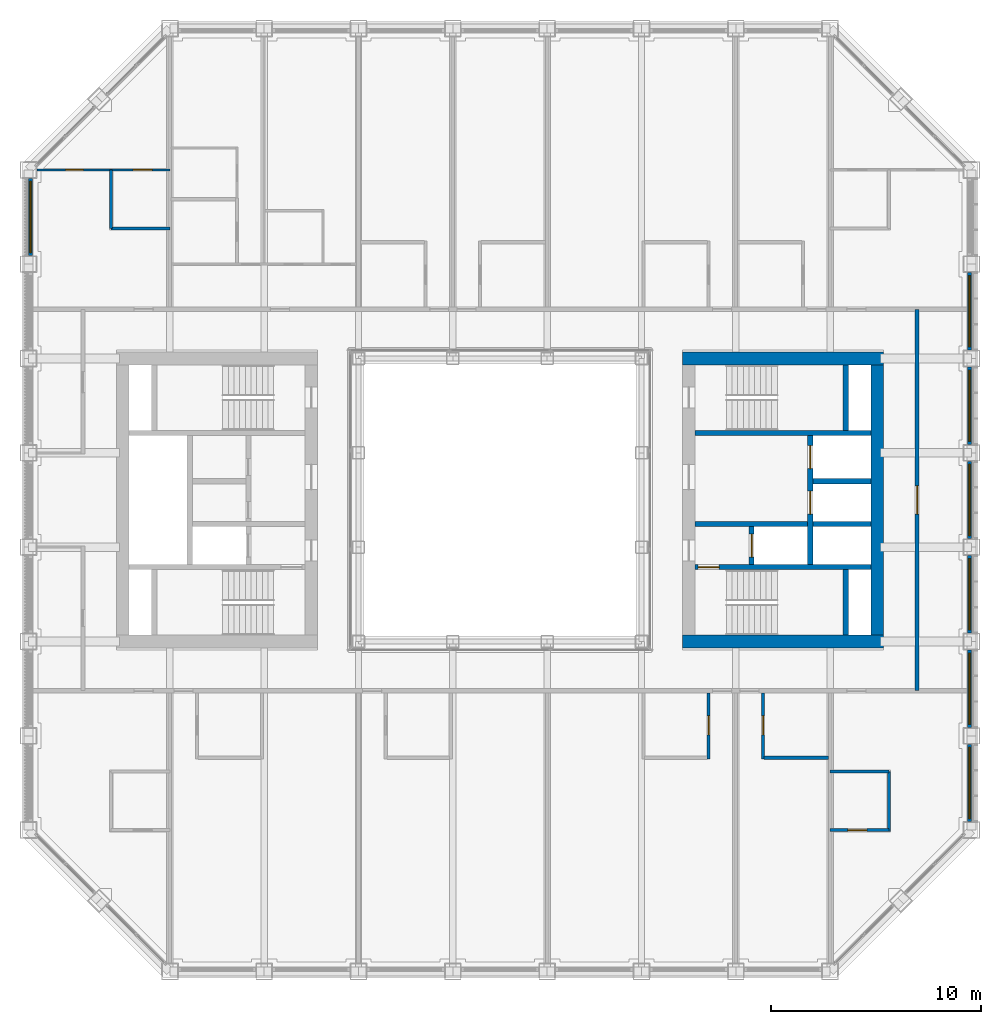
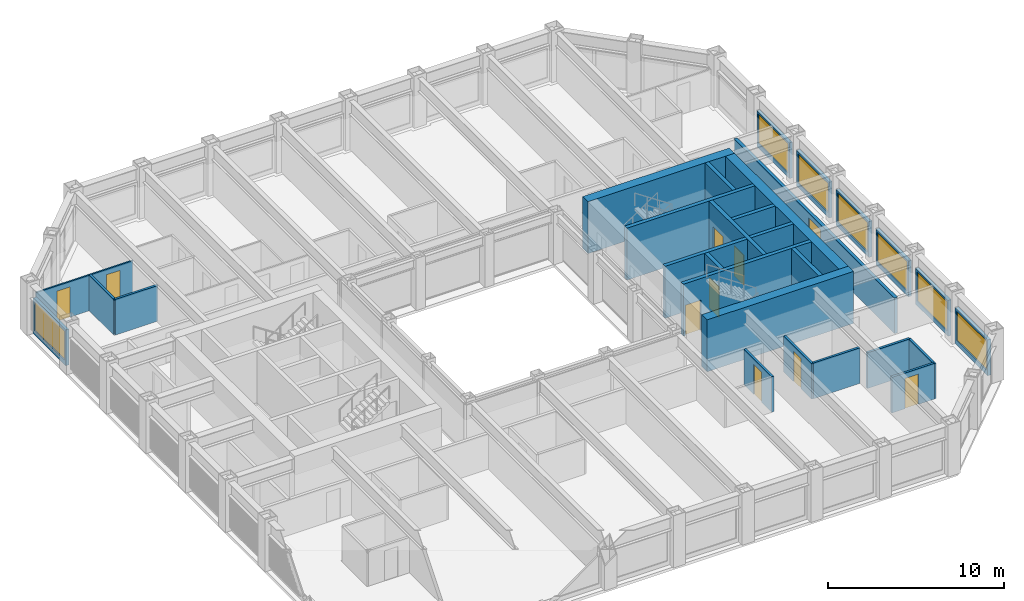
# One storey, part 12 of 17: 29 walls, 10 doors, 7 windows, 17 openings.
"""IFC4 building model written with IfcOpenShell, lengths in metres."""

from ifc_helpers import new_model, si_unit, direction, frame, frame_2d, origin, place, context, subcontext, project, spatial, rectangle, extrude, material, layer, layer_set, type_object, element, fill, save


model = new_model("IFC4")

# Units and contexts
model_context = context("Model", 3, precision=1e-05, world=origin(), true_north=direction((0.0, 1.0)))
body_context = subcontext(model_context, "Body", "Model", "MODEL_VIEW")
ifc_project = project(units=[si_unit("LENGTHUNIT", "METRE"), si_unit("AREAUNIT", "SQUARE_METRE"), si_unit("VOLUMEUNIT", "CUBIC_METRE"), si_unit("PLANEANGLEUNIT", "RADIAN"), si_unit("MASSUNIT", "GRAM", prefix="KILO")], contexts=[model_context])

# Site, building, storey
site_placement = place(None, origin())
site = spatial("IfcSite", under=ifc_project, at=site_placement, CompositionType="ELEMENT")
building_placement = place(site_placement, origin())
building = spatial("IfcBuilding", under=site, at=building_placement, Name="Msasa Ring Tower", CompositionType="ELEMENT")
storey_placement = place(building_placement, frame((0.0, 0.0, 179.60009765625)))
storey = spatial("IfcBuildingStorey", under=building, at=storey_placement, Name="L47", CompositionType="ELEMENT", Elevation=179.60009765625)

# Walls
ifc_material_1 = material(Name="Concrete C60/75", Category="concrete")
ifc_layer_1 = layer(ifc_material_1, 0.60009765625)
ifc_layer_set_1 = layer_set([ifc_layer_1], Name="CW2 CORE WALL 600")
wall_type_1 = type_object("IfcWallType", Name="CW2 CORE WALL 600", PredefinedType="SHEAR", material=ifc_layer_set_1)
for number, where, z_axis, x_axis, name in (
    (1, (8.699951171875, -6.75, 0.0), (0.0, 0.0, 1.0), (1.0, 0.0, 0.0), "E core wall S L47"),
    (2, (8.699951171875, 6.75, 0.0), (0.0, 0.0, 1.0), (1.0, 0.0, 0.0), "E core wall N L47"),
):
    element("IfcWall", number, at=place(storey_placement, frame(where, z_axis=z_axis, x_axis=x_axis)), inside=storey, type_object=wall_type_1, Name=name, PredefinedType="SHEAR", context=body_context, shape_type="SweptSolid", body=[
        extrude(rectangle(XDim=9.60009765625, YDim=0.60009765625, at=frame_2d((4.800048828125, 0.0))), origin(), (0.0, 0.0, 1.0), 3.599853515625),
    ])
wall_1_placement = place(storey_placement, frame((18.0, -6.449951171875, 0.0), z_axis=(0.0, 0.0, 1.0), x_axis=(0.0, 1.0, 0.0)))
element("IfcWall", 3, at=wall_1_placement, inside=storey, type_object=wall_type_1, Name="E core wall E L47", PredefinedType="SHEAR", context=body_context, shape_type="SweptSolid", body=[
    extrude(rectangle(XDim=12.89990234375, YDim=0.60009765625, at=frame_2d((6.449951171875, 0.0))), origin(), (0.0, 0.0, 1.0), 3.599853515625),
])

# Wall, opening, door
ifc_material_2 = material(Name="Concrete C60/75", Category="concrete")
ifc_layer_2 = layer(ifc_material_2, 0.25)
ifc_layer_set_2 = layer_set([ifc_layer_2], Name="CW4 CORE INNER WALL 250")
wall_type_2 = type_object("IfcWallType", Name="CW4 CORE INNER WALL 250", PredefinedType="SHEAR", material=ifc_layer_set_2)
wall_2_placement = place(storey_placement, frame((9.300048828125, -3.199951171875, 0.0), z_axis=(0.0, 0.0, 1.0), x_axis=(1.0, 0.0, 0.0)))
wall_2 = element("IfcWall", 4, at=wall_2_placement, inside=storey, type_object=wall_type_2, Name="E core wall STAIRA L47", PredefinedType="SHEAR", context=body_context, shape_type="SweptSolid", body=[
    extrude(rectangle(XDim=8.39990234375, YDim=0.25, at=frame_2d((4.199951171875, 0.0))), origin(), (0.0, 0.0, 1.0), 3.599853515625),
])
opening_1_placement = place(wall_2_placement, frame((0.14990234375, 0.0, 0.0)))
opening_1 = element("IfcOpeningElement", 5, at=opening_1_placement, cuts=wall_2, Name="Opening HF-032", PredefinedType="OPENING", context=body_context, shape_type="SweptSolid", body=[
    extrude(rectangle(XDim=1.0, YDim=2.10009765625, at=frame_2d((0.5, 1.050048828125))), frame((0.0, 0.135009765625, 0.0), z_axis=(0.0, -1.0, 0.0), x_axis=(1.0, 0.0, 0.0)), (0.0, 0.0, 1.0), 0.27001953125),
])
ifc_material_3 = material(Name="Timber door leaf in a steel frame", Category="steel")
door_type_1 = type_object("IfcDoorType", Name="D6 STAIR DOOR 1000x2100", OperationType="SINGLE_SWING_LEFT", PredefinedType="DOOR", material=ifc_material_3)
door_1_placement = place(opening_1_placement, origin())
door_1 = element("IfcDoor", 6, at=door_1_placement, inside=storey, type_object=door_type_1, Name="Door L47-ESTA", OperationType="SINGLE_SWING_LEFT", OverallHeight=2.10009765625, OverallWidth=1.0, PredefinedType="DOOR", context=body_context, shape_type="SweptSolid", body=[
    extrude(rectangle(XDim=1.0, YDim=2.10009765625, at=frame_2d((0.5, 1.050048828125))), frame((0.0, 0.02490234375, 0.0), z_axis=(0.0, -1.0, 0.0), x_axis=(1.0, 0.0, 0.0)), (0.0, 0.0, 1.0), 0.050048828125),
])
fill(opening_1, door_1)

# Walls
wall_3_placement = place(storey_placement, frame((9.300048828125, 3.199951171875, 0.0), z_axis=(0.0, 0.0, 1.0), x_axis=(1.0, 0.0, 0.0)))
element("IfcWall", 7, at=wall_3_placement, inside=storey, type_object=wall_type_2, Name="E core wall STAIRB L47", PredefinedType="SHEAR", context=body_context, shape_type="SweptSolid", body=[
    extrude(rectangle(XDim=8.39990234375, YDim=0.25, at=frame_2d((4.199951171875, 0.0))), origin(), (0.0, 0.0, 1.0), 3.599853515625),
])
for number, where, z_axis, x_axis, name in (
    (8, (16.5, -6.449951171875, 0.0), (0.0, 0.0, 1.0), (0.0, 1.0, 0.0), "E core wall RISERA L47"),
    (9, (16.5, 3.324951171875, 0.0), (0.0, 0.0, 1.0), (0.0, 1.0, 0.0), "E core wall RISERB L47"),
):
    element("IfcWall", number, at=place(storey_placement, frame(where, z_axis=z_axis, x_axis=x_axis)), inside=storey, type_object=wall_type_2, Name=name, PredefinedType="SHEAR", context=body_context, shape_type="SweptSolid", body=[
        extrude(rectangle(XDim=3.125, YDim=0.25, at=frame_2d((1.5625, 0.0))), origin(), (0.0, 0.0, 1.0), 3.599853515625),
    ])
wall_4_placement = place(storey_placement, frame((9.300048828125, -1.14990234375, 0.0), z_axis=(0.0, 0.0, 1.0), x_axis=(1.0, 0.0, 0.0)))
element("IfcWall", 10, at=wall_4_placement, inside=storey, type_object=wall_type_2, Name="E core wall FFL L47", PredefinedType="SHEAR", context=body_context, shape_type="SweptSolid", body=[
    extrude(rectangle(XDim=5.375, YDim=0.25, at=frame_2d((2.6875, 0.0))), origin(), (0.0, 0.0, 1.0), 3.599853515625),
])

# Wall, opening, door
wall_5_placement = place(storey_placement, frame((12.0, -3.074951171875, 0.0), z_axis=(0.0, 0.0, 1.0), x_axis=(0.0, 1.0, 0.0)))
wall_5 = element("IfcWall", 11, at=wall_5_placement, inside=storey, type_object=wall_type_2, Name="E core wall LOBBY L47", PredefinedType="SHEAR", context=body_context, shape_type="SweptSolid", body=[
    extrude(rectangle(XDim=1.800048828125, YDim=0.25, at=frame_2d((0.89990234375, 0.0))), origin(), (0.0, 0.0, 1.0), 3.599853515625),
])
opening_2_placement = place(wall_5_placement, frame((0.35009765625, 0.0, 0.0)))
opening_2 = element("IfcOpeningElement", 12, at=opening_2_placement, cuts=wall_5, Name="Opening LD1", PredefinedType="OPENING", context=body_context, shape_type="SweptSolid", body=[
    extrude(rectangle(XDim=1.10009765625, YDim=2.10009765625, at=frame_2d((0.550048828125, 1.050048828125))), frame((0.0, 0.135009765625, 0.0), z_axis=(0.0, -1.0, 0.0), x_axis=(1.0, 0.0, 0.0)), (0.0, 0.0, 1.0), 0.27001953125),
])
ifc_material_4 = material(Name="Stainless steel lift landing door", Category="steel")
door_type_2 = type_object("IfcDoorType", Name="LD1 LIFT LANDING DOOR 1100x2100", OperationType="DOUBLE_DOOR_SLIDING", PredefinedType="DOOR", material=ifc_material_4)
door_2_placement = place(opening_2_placement, origin())
door_2 = element("IfcDoor", 13, at=door_2_placement, inside=storey, type_object=door_type_2, Name="Lift landing door FL-E L47", OperationType="DOUBLE_DOOR_SLIDING", OverallHeight=2.10009765625, OverallWidth=1.10009765625, PredefinedType="DOOR", context=body_context, shape_type="SweptSolid", body=[
    extrude(rectangle(XDim=1.10009765625, YDim=2.10009765625, at=frame_2d((0.550048828125, 1.050048828125))), frame((0.0, 0.02490234375, 0.0), z_axis=(0.0, -1.0, 0.0), x_axis=(1.0, 0.0, 0.0)), (0.0, 0.0, 1.0), 0.050048828125),
])
fill(opening_2, door_2)

# Wall, openings, doors
wall_6_placement = place(storey_placement, frame((14.800048828125, -3.074951171875, 0.0), z_axis=(0.0, 0.0, 1.0), x_axis=(0.0, 1.0, 0.0)))
wall_6 = element("IfcWall", 14, at=wall_6_placement, inside=storey, type_object=wall_type_2, Name="E core wall SHAFT L47", PredefinedType="SHEAR", context=body_context, shape_type="SweptSolid", body=[
    extrude(rectangle(XDim=6.14990234375, YDim=0.25, at=frame_2d((3.074951171875, 0.0))), origin(), (0.0, 0.0, 1.0), 3.599853515625),
])
opening_3_placement = place(wall_6_placement, frame((2.39990234375, 0.0, 0.0)))
opening_3 = element("IfcOpeningElement", 15, at=opening_3_placement, cuts=wall_6, Name="Opening LD1", PredefinedType="OPENING", context=body_context, shape_type="SweptSolid", body=[
    extrude(rectangle(XDim=1.10009765625, YDim=2.10009765625, at=frame_2d((0.550048828125, 1.050048828125))), frame((0.0, 0.135009765625, 0.0), z_axis=(0.0, -1.0, 0.0), x_axis=(1.0, 0.0, 0.0)), (0.0, 0.0, 1.0), 0.27001953125),
])
opening_4_placement = place(wall_6_placement, frame((4.574951171875, 0.0, 0.0)))
opening_4 = element("IfcOpeningElement", 16, at=opening_4_placement, cuts=wall_6, Name="Opening LD1", PredefinedType="OPENING", context=body_context, shape_type="SweptSolid", body=[
    extrude(rectangle(XDim=1.10009765625, YDim=2.10009765625, at=frame_2d((0.550048828125, 1.050048828125))), frame((0.0, 0.135009765625, 0.0), z_axis=(0.0, -1.0, 0.0), x_axis=(1.0, 0.0, 0.0)), (0.0, 0.0, 1.0), 0.27001953125),
])
door_3_placement = place(opening_3_placement, origin())
door_3 = element("IfcDoor", 17, at=door_3_placement, inside=storey, type_object=door_type_2, Name="Lift landing door PL-H1 L47", OperationType="DOUBLE_DOOR_SLIDING", OverallHeight=2.10009765625, OverallWidth=1.10009765625, PredefinedType="DOOR", context=body_context, shape_type="SweptSolid", body=[
    extrude(rectangle(XDim=1.10009765625, YDim=2.10009765625, at=frame_2d((0.550048828125, 1.050048828125))), frame((0.0, 0.02490234375, 0.0), z_axis=(0.0, -1.0, 0.0), x_axis=(1.0, 0.0, 0.0)), (0.0, 0.0, 1.0), 0.050048828125),
])
fill(opening_3, door_3)
door_4_placement = place(opening_4_placement, origin())
door_4 = element("IfcDoor", 18, at=door_4_placement, inside=storey, type_object=door_type_2, Name="Lift landing door PL-H2 L47", OperationType="DOUBLE_DOOR_SLIDING", OverallHeight=2.10009765625, OverallWidth=1.10009765625, PredefinedType="DOOR", context=body_context, shape_type="SweptSolid", body=[
    extrude(rectangle(XDim=1.10009765625, YDim=2.10009765625, at=frame_2d((0.550048828125, 1.050048828125))), frame((0.0, 0.02490234375, 0.0), z_axis=(0.0, -1.0, 0.0), x_axis=(1.0, 0.0, 0.0)), (0.0, 0.0, 1.0), 0.050048828125),
])
fill(opening_4, door_4)

# Walls
for number, where, z_axis, x_axis, name in (
    (19, (14.925048828125, -1.14990234375, 0.0), (0.0, 0.0, 1.0), (1.0, 0.0, 0.0), "E core wall HSEP L47"),
    (20, (14.925048828125, 0.89990234375, 0.0), (0.0, 0.0, 1.0), (1.0, 0.0, 0.0), "E core wall HLIFT L47"),
):
    element("IfcWall", number, at=place(storey_placement, frame(where, z_axis=z_axis, x_axis=x_axis)), inside=storey, type_object=wall_type_2, Name=name, PredefinedType="SHEAR", context=body_context, shape_type="SweptSolid", body=[
        extrude(rectangle(XDim=2.77490234375, YDim=0.25, at=frame_2d((1.387451171875, 0.0))), origin(), (0.0, 0.0, 1.0), 3.599853515625),
    ])

# Wall, opening, window
ifc_material_5 = material(Name="Terracotta rainscreen on blockwork", Category="masonry")
ifc_layer_3 = layer(ifc_material_5, 0.199951171875)
ifc_layer_set_3 = layer_set([ifc_layer_3], Name="FW1 TERRACOTTA-LINED INFILL BAY WALL 200")
wall_type_3 = type_object("IfcWallType", Name="FW1 TERRACOTTA-LINED INFILL BAY WALL 200", PredefinedType="SOLIDWALL", material=ifc_layer_set_3)
wall_7_placement = place(storey_placement, frame((22.39990234375, -15.344970703125, 0.0), z_axis=(0.0, 0.0, 1.0), x_axis=(0.0, 1.0, 0.0)))
wall_7 = element("IfcWall", 21, at=wall_7_placement, inside=storey, type_object=wall_type_3, Name="Infill bay wall E L47 09", PredefinedType="SOLIDWALL", context=body_context, shape_type="SweptSolid", body=[
    extrude(rectangle(XDim=3.68994140625, YDim=0.199951171875, at=frame_2d((1.844970703125, 0.0))), origin(), (0.0, 0.0, 1.0), 2.47900390625),
])
opening_5_placement = place(wall_7_placement, frame((0.14501953125, 0.0, 0.300048828125)))
opening_5 = element("IfcOpeningElement", 22, at=opening_5_placement, cuts=wall_7, Name="Opening WN2", PredefinedType="OPENING", context=body_context, shape_type="SweptSolid", body=[
    extrude(rectangle(XDim=3.39990234375, YDim=2.029052734375, at=frame_2d((1.699951171875, 1.0146484375))), frame((0.0, 0.10986328125, 0.0), z_axis=(0.0, -1.0, 0.0), x_axis=(1.0, 0.0, 0.0)), (0.0, 0.0, 1.0), 0.219970703125),
])
ifc_material_6 = material(Name="Aluminium frame with clear glass", Category="aluminium")
window_type = type_object("IfcWindowType", Name="WN2 GUEST ROOM WINDOW 3400x2029", PartitioningType="SINGLE_PANEL", PredefinedType="WINDOW", material=ifc_material_6)
window_1_placement = place(opening_5_placement, origin())
window_1 = element("IfcWindow", 23, at=window_1_placement, inside=storey, type_object=window_type, Name="Window E L47 09", OverallHeight=2.029052734375, OverallWidth=3.39990234375, PartitioningType="SINGLE_PANEL", PredefinedType="WINDOW", context=body_context, shape_type="SweptSolid", body=[
    extrude(rectangle(XDim=3.39990234375, YDim=2.029052734375, at=frame_2d((1.699951171875, 1.0146484375))), frame((0.0, 0.030029296875, 0.0), z_axis=(0.0, -1.0, 0.0), x_axis=(1.0, 0.0, 0.0)), (0.0, 0.0, 1.0), 0.06005859375),
])
fill(opening_5, window_1)

wall_8_placement = place(storey_placement, frame((22.39990234375, -10.844970703125, 0.0), z_axis=(0.0, 0.0, 1.0), x_axis=(0.0, 1.0, 0.0)))
wall_8 = element("IfcWall", 24, at=wall_8_placement, inside=storey, type_object=wall_type_3, Name="Infill bay wall E L47 10", PredefinedType="SOLIDWALL", context=body_context, shape_type="SweptSolid", body=[
    extrude(rectangle(XDim=3.68994140625, YDim=0.199951171875, at=frame_2d((1.844970703125, 0.0))), origin(), (0.0, 0.0, 1.0), 2.47900390625),
])
opening_6_placement = place(wall_8_placement, frame((0.14501953125, 0.0, 0.300048828125)))
opening_6 = element("IfcOpeningElement", 25, at=opening_6_placement, cuts=wall_8, Name="Opening WN2", PredefinedType="OPENING", context=body_context, shape_type="SweptSolid", body=[
    extrude(rectangle(XDim=3.39990234375, YDim=2.029052734375, at=frame_2d((1.699951171875, 1.0146484375))), frame((0.0, 0.10986328125, 0.0), z_axis=(0.0, -1.0, 0.0), x_axis=(1.0, 0.0, 0.0)), (0.0, 0.0, 1.0), 0.219970703125),
])
window_2_placement = place(opening_6_placement, origin())
window_2 = element("IfcWindow", 26, at=window_2_placement, inside=storey, type_object=window_type, Name="Window E L47 10", OverallHeight=2.029052734375, OverallWidth=3.39990234375, PartitioningType="SINGLE_PANEL", PredefinedType="WINDOW", context=body_context, shape_type="SweptSolid", body=[
    extrude(rectangle(XDim=3.39990234375, YDim=2.029052734375, at=frame_2d((1.699951171875, 1.0146484375))), frame((0.0, 0.030029296875, 0.0), z_axis=(0.0, -1.0, 0.0), x_axis=(1.0, 0.0, 0.0)), (0.0, 0.0, 1.0), 0.06005859375),
])
fill(opening_6, window_2)

wall_9_placement = place(storey_placement, frame((22.39990234375, -6.344970703125, 0.0), z_axis=(0.0, 0.0, 1.0), x_axis=(0.0, 1.0, 0.0)))
wall_9 = element("IfcWall", 27, at=wall_9_placement, inside=storey, type_object=wall_type_3, Name="Infill bay wall E L47 11", PredefinedType="SOLIDWALL", context=body_context, shape_type="SweptSolid", body=[
    extrude(rectangle(XDim=3.68994140625, YDim=0.199951171875, at=frame_2d((1.844970703125, 0.0))), origin(), (0.0, 0.0, 1.0), 2.47900390625),
])
opening_7_placement = place(wall_9_placement, frame((0.14501953125, 0.0, 0.300048828125)))
opening_7 = element("IfcOpeningElement", 28, at=opening_7_placement, cuts=wall_9, Name="Opening WN2", PredefinedType="OPENING", context=body_context, shape_type="SweptSolid", body=[
    extrude(rectangle(XDim=3.39990234375, YDim=2.029052734375, at=frame_2d((1.699951171875, 1.0146484375))), frame((0.0, 0.10986328125, 0.0), z_axis=(0.0, -1.0, 0.0), x_axis=(1.0, 0.0, 0.0)), (0.0, 0.0, 1.0), 0.219970703125),
])
window_3_placement = place(opening_7_placement, origin())
window_3 = element("IfcWindow", 29, at=window_3_placement, inside=storey, type_object=window_type, Name="Window E L47 11", OverallHeight=2.029052734375, OverallWidth=3.39990234375, PartitioningType="SINGLE_PANEL", PredefinedType="WINDOW", context=body_context, shape_type="SweptSolid", body=[
    extrude(rectangle(XDim=3.39990234375, YDim=2.029052734375, at=frame_2d((1.699951171875, 1.0146484375))), frame((0.0, 0.030029296875, 0.0), z_axis=(0.0, -1.0, 0.0), x_axis=(1.0, 0.0, 0.0)), (0.0, 0.0, 1.0), 0.06005859375),
])
fill(opening_7, window_3)

wall_10_placement = place(storey_placement, frame((22.39990234375, -1.844970703125, 0.0), z_axis=(0.0, 0.0, 1.0), x_axis=(0.0, 1.0, 0.0)))
wall_10 = element("IfcWall", 30, at=wall_10_placement, inside=storey, type_object=wall_type_3, Name="Infill bay wall E L47 12", PredefinedType="SOLIDWALL", context=body_context, shape_type="SweptSolid", body=[
    extrude(rectangle(XDim=3.68994140625, YDim=0.199951171875, at=frame_2d((1.844970703125, 0.0))), origin(), (0.0, 0.0, 1.0), 2.47900390625),
])
opening_8_placement = place(wall_10_placement, frame((0.14501953125, 0.0, 0.300048828125)))
opening_8 = element("IfcOpeningElement", 31, at=opening_8_placement, cuts=wall_10, Name="Opening WN2", PredefinedType="OPENING", context=body_context, shape_type="SweptSolid", body=[
    extrude(rectangle(XDim=3.39990234375, YDim=2.029052734375, at=frame_2d((1.699951171875, 1.0146484375))), frame((0.0, 0.10986328125, 0.0), z_axis=(0.0, -1.0, 0.0), x_axis=(1.0, 0.0, 0.0)), (0.0, 0.0, 1.0), 0.219970703125),
])
window_4_placement = place(opening_8_placement, origin())
window_4 = element("IfcWindow", 32, at=window_4_placement, inside=storey, type_object=window_type, Name="Window E L47 12", OverallHeight=2.029052734375, OverallWidth=3.39990234375, PartitioningType="SINGLE_PANEL", PredefinedType="WINDOW", context=body_context, shape_type="SweptSolid", body=[
    extrude(rectangle(XDim=3.39990234375, YDim=2.029052734375, at=frame_2d((1.699951171875, 1.0146484375))), frame((0.0, 0.030029296875, 0.0), z_axis=(0.0, -1.0, 0.0), x_axis=(1.0, 0.0, 0.0)), (0.0, 0.0, 1.0), 0.06005859375),
])
fill(opening_8, window_4)

wall_11_placement = place(storey_placement, frame((22.39990234375, 2.655029296875, 0.0), z_axis=(0.0, 0.0, 1.0), x_axis=(0.0, 1.0, 0.0)))
wall_11 = element("IfcWall", 33, at=wall_11_placement, inside=storey, type_object=wall_type_3, Name="Infill bay wall E L47 13", PredefinedType="SOLIDWALL", context=body_context, shape_type="SweptSolid", body=[
    extrude(rectangle(XDim=3.68994140625, YDim=0.199951171875, at=frame_2d((1.844970703125, 0.0))), origin(), (0.0, 0.0, 1.0), 2.47900390625),
])
opening_9_placement = place(wall_11_placement, frame((0.14501953125, 0.0, 0.300048828125)))
opening_9 = element("IfcOpeningElement", 34, at=opening_9_placement, cuts=wall_11, Name="Opening WN2", PredefinedType="OPENING", context=body_context, shape_type="SweptSolid", body=[
    extrude(rectangle(XDim=3.39990234375, YDim=2.029052734375, at=frame_2d((1.699951171875, 1.0146484375))), frame((0.0, 0.10986328125, 0.0), z_axis=(0.0, -1.0, 0.0), x_axis=(1.0, 0.0, 0.0)), (0.0, 0.0, 1.0), 0.219970703125),
])
window_5_placement = place(opening_9_placement, origin())
window_5 = element("IfcWindow", 35, at=window_5_placement, inside=storey, type_object=window_type, Name="Window E L47 13", OverallHeight=2.029052734375, OverallWidth=3.39990234375, PartitioningType="SINGLE_PANEL", PredefinedType="WINDOW", context=body_context, shape_type="SweptSolid", body=[
    extrude(rectangle(XDim=3.39990234375, YDim=2.029052734375, at=frame_2d((1.699951171875, 1.0146484375))), frame((0.0, 0.030029296875, 0.0), z_axis=(0.0, -1.0, 0.0), x_axis=(1.0, 0.0, 0.0)), (0.0, 0.0, 1.0), 0.06005859375),
])
fill(opening_9, window_5)

wall_12_placement = place(storey_placement, frame((22.39990234375, 7.155029296875, 0.0), z_axis=(0.0, 0.0, 1.0), x_axis=(0.0, 1.0, 0.0)))
wall_12 = element("IfcWall", 36, at=wall_12_placement, inside=storey, type_object=wall_type_3, Name="Infill bay wall E L47 14", PredefinedType="SOLIDWALL", context=body_context, shape_type="SweptSolid", body=[
    extrude(rectangle(XDim=3.68994140625, YDim=0.199951171875, at=frame_2d((1.844970703125, 0.0))), origin(), (0.0, 0.0, 1.0), 2.47900390625),
])
opening_10_placement = place(wall_12_placement, frame((0.14501953125, 0.0, 0.300048828125)))
opening_10 = element("IfcOpeningElement", 37, at=opening_10_placement, cuts=wall_12, Name="Opening WN2", PredefinedType="OPENING", context=body_context, shape_type="SweptSolid", body=[
    extrude(rectangle(XDim=3.39990234375, YDim=2.029052734375, at=frame_2d((1.699951171875, 1.0146484375))), frame((0.0, 0.10986328125, 0.0), z_axis=(0.0, -1.0, 0.0), x_axis=(1.0, 0.0, 0.0)), (0.0, 0.0, 1.0), 0.219970703125),
])
window_6_placement = place(opening_10_placement, origin())
window_6 = element("IfcWindow", 38, at=window_6_placement, inside=storey, type_object=window_type, Name="Window E L47 14", OverallHeight=2.029052734375, OverallWidth=3.39990234375, PartitioningType="SINGLE_PANEL", PredefinedType="WINDOW", context=body_context, shape_type="SweptSolid", body=[
    extrude(rectangle(XDim=3.39990234375, YDim=2.029052734375, at=frame_2d((1.699951171875, 1.0146484375))), frame((0.0, 0.030029296875, 0.0), z_axis=(0.0, -1.0, 0.0), x_axis=(1.0, 0.0, 0.0)), (0.0, 0.0, 1.0), 0.06005859375),
])
fill(opening_10, window_6)

wall_13_placement = place(storey_placement, frame((-22.39990234375, 11.655029296875, 0.0), z_axis=(0.0, 0.0, 1.0), x_axis=(0.0, 1.0, 0.0)))
wall_13 = element("IfcWall", 39, at=wall_13_placement, inside=storey, type_object=wall_type_3, Name="Infill bay wall W L47 33", PredefinedType="SOLIDWALL", context=body_context, shape_type="SweptSolid", body=[
    extrude(rectangle(XDim=3.68994140625, YDim=0.199951171875, at=frame_2d((1.844970703125, 0.0))), origin(), (0.0, 0.0, 1.0), 2.47900390625),
])
opening_11_placement = place(wall_13_placement, frame((0.14501953125, 0.0, 0.300048828125)))
opening_11 = element("IfcOpeningElement", 40, at=opening_11_placement, cuts=wall_13, Name="Opening WN2", PredefinedType="OPENING", context=body_context, shape_type="SweptSolid", body=[
    extrude(rectangle(XDim=3.39990234375, YDim=2.029052734375, at=frame_2d((1.699951171875, 1.0146484375))), frame((0.0, 0.10986328125, 0.0), z_axis=(0.0, -1.0, 0.0), x_axis=(1.0, 0.0, 0.0)), (0.0, 0.0, 1.0), 0.219970703125),
])
window_7_placement = place(opening_11_placement, origin())
window_7 = element("IfcWindow", 41, at=window_7_placement, inside=storey, type_object=window_type, Name="Window W L47 33", OverallHeight=2.029052734375, OverallWidth=3.39990234375, PartitioningType="SINGLE_PANEL", PredefinedType="WINDOW", context=body_context, shape_type="SweptSolid", body=[
    extrude(rectangle(XDim=3.39990234375, YDim=2.029052734375, at=frame_2d((1.699951171875, 1.0146484375))), frame((0.0, 0.030029296875, 0.0), z_axis=(0.0, -1.0, 0.0), x_axis=(1.0, 0.0, 0.0)), (0.0, 0.0, 1.0), 0.06005859375),
])
fill(opening_11, window_7)

# Wall, opening, door
ifc_material_7 = material(Name="Concrete blockwork", Category="masonry")
ifc_layer_4 = layer(ifc_material_7, 0.199951171875)
ifc_layer_set_4 = layer_set([ifc_layer_4], Name="PT1 CORRIDOR WALL 200")
wall_type_4 = type_object("IfcWallType", Name="PT1 CORRIDOR WALL 200", PredefinedType="PARTITIONING", material=ifc_layer_set_4)
wall_14_placement = place(storey_placement, frame((19.89990234375, -9.10009765625, 0.0), z_axis=(0.0, 0.0, 1.0), x_axis=(0.0, 1.0, 0.0)))
wall_14 = element("IfcWall", 42, at=wall_14_placement, inside=storey, type_object=wall_type_4, Name="Corridor wall L47-STRE", PredefinedType="PARTITIONING", context=body_context, shape_type="SweptSolid", body=[
    extrude(rectangle(XDim=18.2001953125, YDim=0.199951171875, at=frame_2d((9.10009765625, 0.0))), origin(), (0.0, 0.0, 1.0), 2.473388671875),
])
opening_12_placement = place(wall_14_placement, frame((8.425048828125, 0.0, 0.0)))
opening_12 = element("IfcOpeningElement", 43, at=opening_12_placement, cuts=wall_14, Name="Opening HF-027", PredefinedType="OPENING", context=body_context, shape_type="SweptSolid", body=[
    extrude(rectangle(XDim=1.35009765625, YDim=2.10009765625, at=frame_2d((0.675048828125, 1.050048828125))), frame((0.0, 0.10986328125, 0.0), z_axis=(0.0, -1.0, 0.0), x_axis=(1.0, 0.0, 0.0)), (0.0, 0.0, 1.0), 0.219970703125),
])
ifc_material_8 = material(Name="Timber door leaf in a steel frame", Category="steel")
door_type_3 = type_object("IfcDoorType", Name="D23 HOUSEKEEPING UNEQUAL PAIR OF DOORS 1350x2100", OperationType="SINGLE_SWING_LEFT", PredefinedType="DOOR", material=ifc_material_8)
door_5_placement = place(opening_12_placement, origin())
door_5 = element("IfcDoor", 44, at=door_5_placement, inside=storey, type_object=door_type_3, Name="Door L47-HKE", OperationType="SINGLE_SWING_LEFT", OverallHeight=2.10009765625, OverallWidth=1.35009765625, PredefinedType="DOOR", context=body_context, shape_type="SweptSolid", body=[
    extrude(rectangle(XDim=1.35009765625, YDim=2.10009765625, at=frame_2d((0.675048828125, 1.050048828125))), frame((0.0, 0.02490234375, 0.0), z_axis=(0.0, -1.0, 0.0), x_axis=(1.0, 0.0, 0.0)), (0.0, 0.0, 1.0), 0.050048828125),
])
fill(opening_12, door_5)

# Wall, openings, doors
ifc_material_9 = material(Name="Gypsum board on steel studs", Category="steel")
ifc_layer_5 = layer(ifc_material_9, 0.10009765625)
ifc_layer_set_5 = layer_set([ifc_layer_5], Name="PT2 STUD PARTITION 100")
wall_type_5 = type_object("IfcWallType", Name="PT2 STUD PARTITION 100", PredefinedType="PARTITIONING", material=ifc_layer_set_5)
wall_15_placement = place(storey_placement, frame((-22.10009765625, 15.75, 0.0), z_axis=(0.0, 0.0, 1.0), x_axis=(1.0, 0.0, 0.0)))
wall_15 = element("IfcWall", 45, at=wall_15_placement, inside=storey, type_object=wall_type_5, Name="Partition L47-CSNWX", PredefinedType="PARTITIONING", context=body_context, shape_type="SweptSolid", body=[
    extrude(rectangle(XDim=6.35009765625, YDim=0.10009765625, at=frame_2d((3.175048828125, 0.0))), origin(), (0.0, 0.0, 1.0), 2.473388671875),
])
opening_13_placement = place(wall_15_placement, frame((1.375, 0.0, 0.0)))
opening_13 = element("IfcOpeningElement", 46, at=opening_13_placement, cuts=wall_15, Name="Opening HF-001", PredefinedType="OPENING", context=body_context, shape_type="SweptSolid", body=[
    extrude(rectangle(XDim=0.85009765625, YDim=2.10009765625, at=frame_2d((0.425048828125, 1.050048828125))), frame((0.0, 0.06005859375, 0.0), z_axis=(0.0, -1.0, 0.0), x_axis=(1.0, 0.0, 0.0)), (0.0, 0.0, 1.0), 0.1201171875),
])
opening_14_placement = place(wall_15_placement, frame((4.60009765625, 0.0, 0.0)))
opening_14 = element("IfcOpeningElement", 47, at=opening_14_placement, cuts=wall_15, Name="Opening HF-002", PredefinedType="OPENING", context=body_context, shape_type="SweptSolid", body=[
    extrude(rectangle(XDim=0.89990234375, YDim=2.10009765625, at=frame_2d((0.449951171875, 1.050048828125))), frame((0.0, 0.06005859375, 0.0), z_axis=(0.0, -1.0, 0.0), x_axis=(1.0, 0.0, 0.0)), (0.0, 0.0, 1.0), 0.1201171875),
])
ifc_material_10 = material(Name="Timber door leaf in a steel frame", Category="steel")
door_type_4 = type_object("IfcDoorType", Name="D14 BEDROOM DOOR 850x2100", OperationType="SINGLE_SWING_LEFT", PredefinedType="DOOR", material=ifc_material_10)
door_6_placement = place(opening_13_placement, origin())
door_6 = element("IfcDoor", 48, at=door_6_placement, inside=storey, type_object=door_type_4, Name="Door L47-CSNWR1", OperationType="SINGLE_SWING_LEFT", OverallHeight=2.10009765625, OverallWidth=0.85009765625, PredefinedType="DOOR", context=body_context, shape_type="SweptSolid", body=[
    extrude(rectangle(XDim=0.85009765625, YDim=2.10009765625, at=frame_2d((0.425048828125, 1.050048828125))), frame((0.0, 0.02490234375, 0.0), z_axis=(0.0, -1.0, 0.0), x_axis=(1.0, 0.0, 0.0)), (0.0, 0.0, 1.0), 0.050048828125),
])
fill(opening_13, door_6)
ifc_material_11 = material(Name="Timber door leaf in a steel frame", Category="steel")
door_type_5 = type_object("IfcDoorType", Name="D3 BATHROOM DOOR 900x2100", OperationType="SINGLE_SWING_LEFT", PredefinedType="DOOR", material=ifc_material_11)
door_7_placement = place(opening_14_placement, origin())
door_7 = element("IfcDoor", 49, at=door_7_placement, inside=storey, type_object=door_type_5, Name="Door L47-CSNWB1", OperationType="SINGLE_SWING_RIGHT", OverallHeight=2.10009765625, OverallWidth=0.89990234375, PredefinedType="DOOR", context=body_context, shape_type="SweptSolid", body=[
    extrude(rectangle(XDim=0.89990234375, YDim=2.10009765625, at=frame_2d((0.449951171875, 1.050048828125))), frame((0.0, 0.02490234375, 0.0), z_axis=(0.0, -1.0, 0.0), x_axis=(1.0, 0.0, 0.0)), (0.0, 0.0, 1.0), 0.050048828125),
])
fill(opening_14, door_7)

# Walls
ifc_material_12 = material(Name="Moisture-resistant board on steel studs with a concealed cistern and pipe void, tiled", Category="steel")
ifc_layer_6 = layer(ifc_material_12, 0.14990234375)
ifc_layer_set_6 = layer_set([ifc_layer_6], Name="PT4 BATHROOM WET WALL 150")
wall_type_6 = type_object("IfcWallType", Name="PT4 BATHROOM WET WALL 150", PredefinedType="PARTITIONING", material=ifc_layer_set_6)
for number, where, z_axis, x_axis, name in (
    (50, (-18.550048828125, 12.949951171875, 0.0), (0.0, 0.0, 1.0), (0.0, 1.0, 0.0), "Partition L47-CSNWBX"),
    (51, (-18.550048828125, 12.949951171875, 0.0), (0.0, 0.0, 1.0), (1.0, 0.0, 0.0), "Partition L47-CSNWBY"),
):
    element("IfcWall", number, at=place(storey_placement, frame(where, z_axis=z_axis, x_axis=x_axis)), inside=storey, type_object=wall_type_6, Name=name, PredefinedType="PARTITIONING", context=body_context, shape_type="SweptSolid", body=[
        extrude(rectangle(XDim=2.800048828125, YDim=0.14990234375, at=frame_2d((1.39990234375, 0.0))), origin(), (0.0, 0.0, 1.0), 2.473388671875),
    ])

# Wall, opening, door
wall_16_placement = place(storey_placement, frame((9.949951171875, -12.35009765625, 0.0), z_axis=(0.0, 0.0, 1.0), x_axis=(0.0, 1.0, 0.0)))
wall_16 = element("IfcWall", 52, at=wall_16_placement, inside=storey, type_object=wall_type_6, Name="Partition L47-GS02BX", PredefinedType="PARTITIONING", context=body_context, shape_type="SweptSolid", body=[
    extrude(rectangle(XDim=3.150146484375, YDim=0.14990234375, at=frame_2d((1.5751953125, 0.0))), origin(), (0.0, 0.0, 1.0), 2.473388671875),
])
opening_15_placement = place(wall_16_placement, frame((1.14990234375, 0.0, 0.0)))
opening_15 = element("IfcOpeningElement", 53, at=opening_15_placement, cuts=wall_16, Name="Opening HF-042", PredefinedType="OPENING", context=body_context, shape_type="SweptSolid", body=[
    extrude(rectangle(XDim=0.89990234375, YDim=2.10009765625, at=frame_2d((0.449951171875, 1.050048828125))), frame((0.0, 0.0849609375, 0.0), z_axis=(0.0, -1.0, 0.0), x_axis=(1.0, 0.0, 0.0)), (0.0, 0.0, 1.0), 0.169921875),
])
door_8_placement = place(opening_15_placement, origin())
door_8 = element("IfcDoor", 54, at=door_8_placement, inside=storey, type_object=door_type_5, Name="Door L47-GS02B", OperationType="SINGLE_SWING_LEFT", OverallHeight=2.10009765625, OverallWidth=0.89990234375, PredefinedType="DOOR", context=body_context, shape_type="SweptSolid", body=[
    extrude(rectangle(XDim=0.89990234375, YDim=2.10009765625, at=frame_2d((0.449951171875, 1.050048828125))), frame((0.0, 0.02490234375, 0.0), z_axis=(0.0, -1.0, 0.0), x_axis=(1.0, 0.0, 0.0)), (0.0, 0.0, 1.0), 0.050048828125),
])
fill(opening_15, door_8)

wall_17_placement = place(storey_placement, frame((12.550048828125, -12.35009765625, 0.0), z_axis=(0.0, 0.0, 1.0), x_axis=(0.0, 1.0, 0.0)))
wall_17 = element("IfcWall", 55, at=wall_17_placement, inside=storey, type_object=wall_type_6, Name="Partition L47-GS03BX", PredefinedType="PARTITIONING", context=body_context, shape_type="SweptSolid", body=[
    extrude(rectangle(XDim=3.150146484375, YDim=0.14990234375, at=frame_2d((1.5751953125, 0.0))), origin(), (0.0, 0.0, 1.0), 2.473388671875),
])
opening_16_placement = place(wall_17_placement, frame((1.14990234375, 0.0, 0.0)))
opening_16 = element("IfcOpeningElement", 56, at=opening_16_placement, cuts=wall_17, Name="Opening HF-043", PredefinedType="OPENING", context=body_context, shape_type="SweptSolid", body=[
    extrude(rectangle(XDim=0.89990234375, YDim=2.10009765625, at=frame_2d((0.449951171875, 1.050048828125))), frame((0.0, 0.0849609375, 0.0), z_axis=(0.0, -1.0, 0.0), x_axis=(1.0, 0.0, 0.0)), (0.0, 0.0, 1.0), 0.169921875),
])
door_9_placement = place(opening_16_placement, origin())
door_9 = element("IfcDoor", 57, at=door_9_placement, inside=storey, type_object=door_type_5, Name="Door L47-GS03B", OperationType="SINGLE_SWING_LEFT", OverallHeight=2.10009765625, OverallWidth=0.89990234375, PredefinedType="DOOR", context=body_context, shape_type="SweptSolid", body=[
    extrude(rectangle(XDim=0.89990234375, YDim=2.10009765625, at=frame_2d((0.449951171875, 1.050048828125))), frame((0.0, 0.02490234375, 0.0), z_axis=(0.0, -1.0, 0.0), x_axis=(1.0, 0.0, 0.0)), (0.0, 0.0, 1.0), 0.050048828125),
])
fill(opening_16, door_9)

# Walls
wall_18_placement = place(storey_placement, frame((12.60009765625, -12.300048828125, 0.0), z_axis=(0.0, 0.0, 1.0), x_axis=(1.0, 0.0, 0.0)))
element("IfcWall", 58, at=wall_18_placement, inside=storey, type_object=wall_type_6, Name="Partition L47-GS03BY", PredefinedType="PARTITIONING", context=body_context, shape_type="SweptSolid", body=[
    extrude(rectangle(XDim=3.0625, YDim=0.14990234375, at=frame_2d((1.53125, 0.0))), origin(), (0.0, 0.0, 1.0), 2.473388671875),
])
wall_19_placement = place(storey_placement, frame((18.550048828125, -15.824951171875, 0.0), z_axis=(0.0, 0.0, 1.0), x_axis=(0.0, 1.0, 0.0)))
element("IfcWall", 59, at=wall_19_placement, inside=storey, type_object=wall_type_6, Name="Partition L47-CSSEBX", PredefinedType="PARTITIONING", context=body_context, shape_type="SweptSolid", body=[
    extrude(rectangle(XDim=2.875, YDim=0.14990234375, at=frame_2d((1.4375, 0.0))), origin(), (0.0, 0.0, 1.0), 2.473388671875),
])
wall_20_placement = place(storey_placement, frame((15.75, -12.949951171875, 0.0), z_axis=(0.0, 0.0, 1.0), x_axis=(1.0, 0.0, 0.0)))
element("IfcWall", 60, at=wall_20_placement, inside=storey, type_object=wall_type_6, Name="Partition L47-CSSEBY", PredefinedType="PARTITIONING", context=body_context, shape_type="SweptSolid", body=[
    extrude(rectangle(XDim=2.800048828125, YDim=0.14990234375, at=frame_2d((1.39990234375, 0.0))), origin(), (0.0, 0.0, 1.0), 2.473388671875),
])

# Wall, opening, door
wall_21_placement = place(storey_placement, frame((15.75, -15.75, 0.0), z_axis=(0.0, 0.0, 1.0), x_axis=(1.0, 0.0, 0.0)))
wall_21 = element("IfcWall", 61, at=wall_21_placement, inside=storey, type_object=wall_type_6, Name="Partition L47-CSSEBZ", PredefinedType="PARTITIONING", context=body_context, shape_type="SweptSolid", body=[
    extrude(rectangle(XDim=2.800048828125, YDim=0.14990234375, at=frame_2d((1.39990234375, 0.0))), origin(), (0.0, 0.0, 1.0), 2.473388671875),
])
opening_17_placement = place(wall_21_placement, frame((0.85009765625, 0.0, 0.0)))
opening_17 = element("IfcOpeningElement", 62, at=opening_17_placement, cuts=wall_21, Name="Opening HF-045", PredefinedType="OPENING", context=body_context, shape_type="SweptSolid", body=[
    extrude(rectangle(XDim=0.89990234375, YDim=2.10009765625, at=frame_2d((0.449951171875, 1.050048828125))), frame((0.0, 0.0849609375, 0.0), z_axis=(0.0, -1.0, 0.0), x_axis=(1.0, 0.0, 0.0)), (0.0, 0.0, 1.0), 0.169921875),
])
door_10_placement = place(opening_17_placement, origin())
door_10 = element("IfcDoor", 63, at=door_10_placement, inside=storey, type_object=door_type_5, Name="Door L47-CSSEB1", OperationType="SINGLE_SWING_LEFT", OverallHeight=2.10009765625, OverallWidth=0.89990234375, PredefinedType="DOOR", context=body_context, shape_type="SweptSolid", body=[
    extrude(rectangle(XDim=0.89990234375, YDim=2.10009765625, at=frame_2d((0.449951171875, 1.050048828125))), frame((0.0, 0.02490234375, 0.0), z_axis=(0.0, -1.0, 0.0), x_axis=(1.0, 0.0, 0.0)), (0.0, 0.0, 1.0), 0.050048828125),
])
fill(opening_17, door_10)

save(model, "model.ifc")
